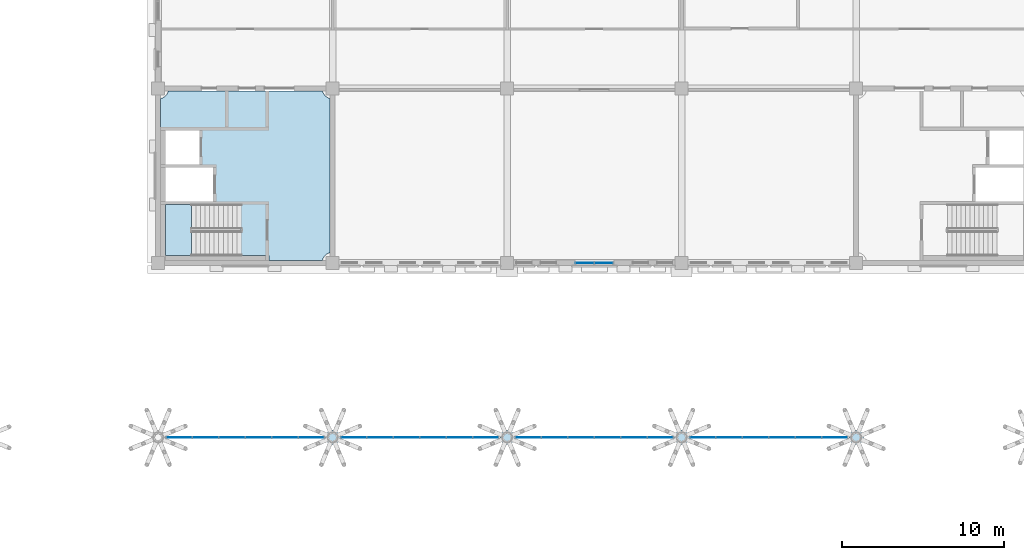
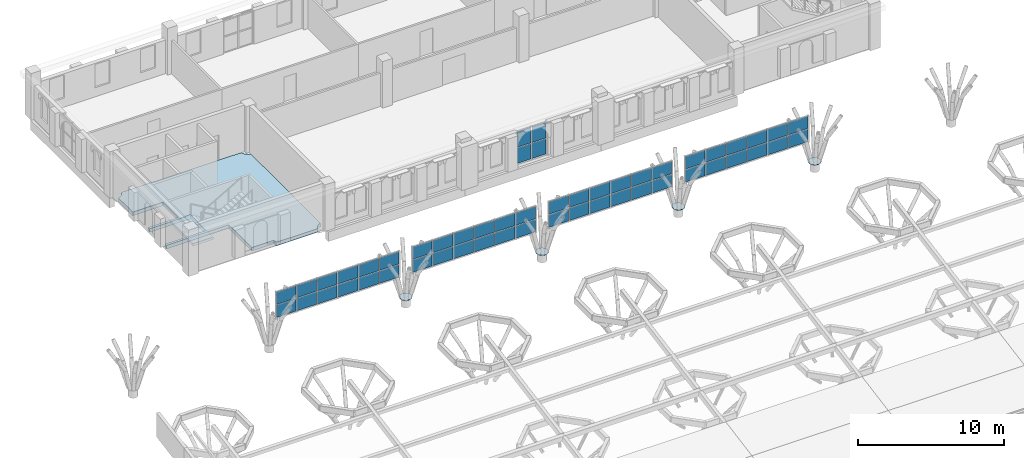
# One storey, part 18 of 42: 56 plates, 2 slabs, 6 elements without a shape of their own.
"""IFC4 building model written with IfcOpenShell, lengths in metres."""

from ifc_helpers import new_model, si_unit, direction, frame, origin, origin_2d, place, context, subcontext, project, spatial, polyline, rectangle, circle, outline, extrude, material, layer, layer_set, material_profile, profile_set, type_object, element, aggregate, save


model = new_model("IFC4")

# Units and contexts
model_context = context("Model", 3, precision=1e-05, world=origin(), true_north=direction((0.0, 1.0)))
body_context = subcontext(model_context, "Body", "Model", "MODEL_VIEW")
ifc_project = project(units=[si_unit("LENGTHUNIT", "METRE"), si_unit("AREAUNIT", "SQUARE_METRE"), si_unit("VOLUMEUNIT", "CUBIC_METRE"), si_unit("PLANEANGLEUNIT", "RADIAN"), si_unit("MASSUNIT", "GRAM", prefix="KILO")], contexts=[model_context])

# Site, building, storey
site_placement = place(None, origin())
site = spatial("IfcSite", under=ifc_project, at=site_placement, CompositionType="ELEMENT")
building_placement = place(site_placement, origin())
building = spatial("IfcBuilding", under=site, at=building_placement, Name="Magnolia Steps Interchange", CompositionType="ELEMENT")
storey_placement = place(building_placement, frame((0.0, 0.0, 12.60009765625)))
storey = spatial("IfcBuildingStorey", under=building, at=storey_placement, Name="L03", CompositionType="ELEMENT", Elevation=12.60009765625)

# Slab
ifc_material_1 = material(Name="Concrete C35", Category="concrete")
ifc_layer_1 = layer(ifc_material_1, 0.300048828125)
ifc_layer_set_1 = layer_set([ifc_layer_1], Name="Core floor slab 300")
slab_type_1 = type_object("IfcSlabType", Name="Core floor slab 300", PredefinedType="FLOOR", material=ifc_layer_set_1)
slab_1_placement = place(storey_placement, frame((0.0, 0.0, -0.300048828125)))
element("IfcSlab", 1, at=slab_1_placement, inside=storey, type_object=slab_type_1, Name="L03 core floor OC-W", PredefinedType="FLOOR", context=body_context, shape_type="SweptSolid", body=[
    extrude(outline(polyline([(70.85009765625, 96.85009765625), (69.10009765625, 96.85009765625), (69.10009765625, 100.0), (64.14990234375, 100.0), (64.14990234375, 100.199951171875), (67.39990234375, 100.199951171875), (67.39990234375, 102.300048828125), (64.14990234375, 102.300048828125), (64.14990234375, 102.5), (66.550048828125, 102.5), (66.550048828125, 104.60009765625), (64.14990234375, 104.60009765625), (64.14990234375, 106.568359375), (64.188720703125, 106.577880859375), (64.248779296875, 106.599609375), (64.306396484375, 106.626708984375), (64.361083984375, 106.659423828125), (64.412353515625, 106.697509765625), (64.459716796875, 106.740478515625), (64.50244140625, 106.78759765625), (64.54052734375, 106.8388671875), (64.5732421875, 106.8935546875), (64.6005859375, 106.951416015625), (64.6220703125, 107.01123046875), (64.631591796875, 107.050048828125), (74.168212890625, 107.050048828125), (74.177978515625, 107.01123046875), (74.199462890625, 106.951416015625), (74.226806640625, 106.8935546875), (74.259521484375, 106.8388671875), (74.297607421875, 106.78759765625), (74.34033203125, 106.740478515625), (74.3876953125, 106.697509765625), (74.43896484375, 106.659423828125), (74.49365234375, 106.626708984375), (74.55126953125, 106.599609375), (74.611328125, 106.577880859375), (74.64990234375, 106.568359375), (74.64990234375, 97.03173828125), (74.611328125, 97.02197265625), (74.55126953125, 97.00048828125), (74.49365234375, 96.97314453125), (74.43896484375, 96.9404296875), (74.3876953125, 96.902587890625), (74.34033203125, 96.859619140625), (74.297607421875, 96.8125), (74.259521484375, 96.760986328125), (74.226806640625, 96.706298828125), (74.199462890625, 96.648681640625), (74.177978515625, 96.588623046875), (74.168212890625, 96.550048828125), (70.85009765625, 96.550048828125), (70.85009765625, 96.85009765625)])), origin(), (0.0, 0.0, 1.0), 0.300048828125),
])

# Stair, slab
ifc_material_2 = material(Name="Concrete C40", Category="concrete")
stair_type = type_object("IfcStairType", Name="Exit stair 1500", PredefinedType="HALF_TURN_STAIR", material=ifc_material_2)
stair_placement = place(storey_placement, origin())
stair = element("IfcStair", 2, at=stair_placement, inside=storey, type_object=stair_type, Name="L03 Stair 28", PredefinedType="HALF_TURN_STAIR")
ifc_material_3 = material(Name="Concrete C40", Category="concrete")
ifc_layer_2 = layer(ifc_material_3, 0.199951171875)
ifc_layer_set_2 = layer_set([ifc_layer_2], Name="Exit stair landing 200")
slab_type_2 = type_object("IfcSlabType", Name="Exit stair landing 200", PredefinedType="LANDING", material=ifc_layer_set_2)
slab_2_placement = place(storey_placement, frame((0.0, 0.0, 1.75)))
slab_2 = element("IfcSlab", 3, at=slab_2_placement, type_object=slab_type_2, Name="Stair 28 landing 1", PredefinedType="LANDING", context=body_context, shape_type="SweptSolid", body=[
    extrude(outline(polyline([(66.070068359375, 100.0), (64.449951171875, 100.0), (64.449951171875, 96.85009765625), (66.070068359375, 96.85009765625), (66.070068359375, 100.0)])), origin(), (0.0, 0.0, 1.0), 0.199951171875),
])
aggregate(stair, [slab_2])

# Curtain wall, plates
ifc_material_4 = material(Name="Powder-coated aluminium and glass", Category="aluminium")
ifc_layer_3 = layer(ifc_material_4, 0.199951171875)
ifc_layer_set_3 = layer_set([ifc_layer_3], Name="Glazed central bay curtain wall")
curtain_wall_type_1 = type_object("IfcCurtainWallType", Name="Glazed central bay curtain wall", PredefinedType="NOTDEFINED", material=ifc_layer_set_3)
curtain_wall_1_placement = place(storey_placement, origin())
curtain_wall_1 = element("IfcCurtainWall", 4, at=curtain_wall_1_placement, inside=storey, type_object=curtain_wall_type_1, Name="Operations building south wall L03 glazing 2", PredefinedType="NOTDEFINED")
ifc_material_5 = material(Name="Laminated glass", Category="glass")
ifc_layer_4 = layer(ifc_material_5, 0.028076171875)
ifc_layer_set_4 = layer_set([ifc_layer_4], Name="Glass panel 28")
plate_type_1 = type_object("IfcPlateType", Name="Glass panel 28", PredefinedType="CURTAIN_PANEL", material=ifc_layer_set_4)
plate_1_placement = place(storey_placement, frame((90.4150390625, 96.39990234375, 0.06005859375), z_axis=(0.0, 0.0, 1.0), x_axis=(1.0, 0.0, 0.0)))
plate_1 = element("IfcPlate", 5, at=plate_1_placement, type_object=plate_type_1, Name="CW2 panel 1.1", PredefinedType="CURTAIN_PANEL", context=body_context, shape_type="SweptSolid", body=[
    extrude(rectangle(XDim=1.110107421875, YDim=0.028076171875, at=origin_2d()), origin(), (0.0, 0.0, 1.0), 1.284912109375),
])
plate_2_placement = place(storey_placement, frame((90.4150390625, 96.39990234375, 1.40478515625), z_axis=(0.0, 0.0, 1.0), x_axis=(1.0, 0.0, 0.0)))
plate_2 = element("IfcPlate", 6, at=plate_2_placement, type_object=plate_type_1, Name="CW2 panel 1.2", PredefinedType="CURTAIN_PANEL", context=body_context, shape_type="SweptSolid", body=[
    extrude(rectangle(XDim=1.110107421875, YDim=0.028076171875, at=origin_2d()), origin(), (0.0, 0.0, 1.0), 1.284912109375),
])
plate_3_placement = place(storey_placement, frame((91.5849609375, 96.39990234375, 0.06005859375), z_axis=(0.0, 0.0, 1.0), x_axis=(1.0, 0.0, 0.0)))
plate_3 = element("IfcPlate", 7, at=plate_3_placement, type_object=plate_type_1, Name="CW2 panel 2.1", PredefinedType="CURTAIN_PANEL", context=body_context, shape_type="SweptSolid", body=[
    extrude(rectangle(XDim=1.110107421875, YDim=0.028076171875, at=origin_2d()), origin(), (0.0, 0.0, 1.0), 1.284912109375),
])
plate_4_placement = place(storey_placement, frame((91.5849609375, 96.39990234375, 1.40478515625), z_axis=(0.0, 0.0, 1.0), x_axis=(1.0, 0.0, 0.0)))
plate_4 = element("IfcPlate", 8, at=plate_4_placement, type_object=plate_type_1, Name="CW2 panel 2.2", PredefinedType="CURTAIN_PANEL", context=body_context, shape_type="SweptSolid", body=[
    extrude(rectangle(XDim=1.110107421875, YDim=0.028076171875, at=origin_2d()), origin(), (0.0, 0.0, 1.0), 1.284912109375),
])
aggregate(curtain_wall_1, [plate_1, plate_2, plate_3, plate_4])

ifc_material_6 = material(Name="Powder-coated aluminium and glass", Category="aluminium")
ifc_layer_5 = layer(ifc_material_6, 0.1201171875)
ifc_layer_set_5 = layer_set([ifc_layer_5], Name="Hall clerestory curtain wall")
curtain_wall_type_2 = type_object("IfcCurtainWallType", Name="Hall clerestory curtain wall", PredefinedType="NOTDEFINED", material=ifc_layer_set_5)
curtain_wall_2_placement = place(storey_placement, origin())
curtain_wall_2 = element("IfcCurtainWall", 9, at=curtain_wall_2_placement, inside=storey, type_object=curtain_wall_type_2, Name="Hall clerestory N2", PredefinedType="NOTDEFINED")
plate_5_placement = place(storey_placement, frame((65.31494140625, 85.60009765625, 2.559814453125), z_axis=(0.0, 0.0, 1.0), x_axis=(1.0, 0.0, 0.0)))
plate_5 = element("IfcPlate", 10, at=plate_5_placement, type_object=plate_type_1, Name="CW6 panel 1.1", PredefinedType="CURTAIN_PANEL", context=body_context, shape_type="SweptSolid", body=[
    extrude(rectangle(XDim=1.550048828125, YDim=0.028076171875, at=origin_2d()), origin(), (0.0, 0.0, 1.0), 1.03564453125),
])
plate_6_placement = place(storey_placement, frame((65.31494140625, 85.60009765625, 3.655517578125), z_axis=(0.0, 0.0, 1.0), x_axis=(1.0, 0.0, 0.0)))
plate_6 = element("IfcPlate", 11, at=plate_6_placement, type_object=plate_type_1, Name="CW6 panel 1.2", PredefinedType="CURTAIN_PANEL", context=body_context, shape_type="SweptSolid", body=[
    extrude(rectangle(XDim=1.550048828125, YDim=0.028076171875, at=origin_2d()), origin(), (0.0, 0.0, 1.0), 1.03564453125),
])
plate_7_placement = place(storey_placement, frame((66.93994140625, 85.60009765625, 2.559814453125), z_axis=(0.0, 0.0, 1.0), x_axis=(1.0, 0.0, 0.0)))
plate_7 = element("IfcPlate", 12, at=plate_7_placement, type_object=plate_type_1, Name="CW6 panel 2.1", PredefinedType="CURTAIN_PANEL", context=body_context, shape_type="SweptSolid", body=[
    extrude(rectangle(XDim=1.580078125, YDim=0.028076171875, at=origin_2d()), origin(), (0.0, 0.0, 1.0), 1.03564453125),
])
plate_8_placement = place(storey_placement, frame((66.93994140625, 85.60009765625, 3.655517578125), z_axis=(0.0, 0.0, 1.0), x_axis=(1.0, 0.0, 0.0)))
plate_8 = element("IfcPlate", 13, at=plate_8_placement, type_object=plate_type_1, Name="CW6 panel 2.2", PredefinedType="CURTAIN_PANEL", context=body_context, shape_type="SweptSolid", body=[
    extrude(rectangle(XDim=1.580078125, YDim=0.028076171875, at=origin_2d()), origin(), (0.0, 0.0, 1.0), 1.03564453125),
])
plate_9_placement = place(storey_placement, frame((68.580078125, 85.60009765625, 2.559814453125), z_axis=(0.0, 0.0, 1.0), x_axis=(1.0, 0.0, 0.0)))
plate_9 = element("IfcPlate", 14, at=plate_9_placement, type_object=plate_type_1, Name="CW6 panel 3.1", PredefinedType="CURTAIN_PANEL", context=body_context, shape_type="SweptSolid", body=[
    extrude(rectangle(XDim=1.580078125, YDim=0.028076171875, at=origin_2d()), origin(), (0.0, 0.0, 1.0), 1.03564453125),
])
plate_10_placement = place(storey_placement, frame((68.580078125, 85.60009765625, 3.655517578125), z_axis=(0.0, 0.0, 1.0), x_axis=(1.0, 0.0, 0.0)))
plate_10 = element("IfcPlate", 15, at=plate_10_placement, type_object=plate_type_1, Name="CW6 panel 3.2", PredefinedType="CURTAIN_PANEL", context=body_context, shape_type="SweptSolid", body=[
    extrude(rectangle(XDim=1.580078125, YDim=0.028076171875, at=origin_2d()), origin(), (0.0, 0.0, 1.0), 1.03564453125),
])
plate_11_placement = place(storey_placement, frame((70.219970703125, 85.60009765625, 2.559814453125), z_axis=(0.0, 0.0, 1.0), x_axis=(1.0, 0.0, 0.0)))
plate_11 = element("IfcPlate", 16, at=plate_11_placement, type_object=plate_type_1, Name="CW6 panel 4.1", PredefinedType="CURTAIN_PANEL", context=body_context, shape_type="SweptSolid", body=[
    extrude(rectangle(XDim=1.580078125, YDim=0.028076171875, at=origin_2d()), origin(), (0.0, 0.0, 1.0), 1.03564453125),
])
plate_12_placement = place(storey_placement, frame((70.219970703125, 85.60009765625, 3.655517578125), z_axis=(0.0, 0.0, 1.0), x_axis=(1.0, 0.0, 0.0)))
plate_12 = element("IfcPlate", 17, at=plate_12_placement, type_object=plate_type_1, Name="CW6 panel 4.2", PredefinedType="CURTAIN_PANEL", context=body_context, shape_type="SweptSolid", body=[
    extrude(rectangle(XDim=1.580078125, YDim=0.028076171875, at=origin_2d()), origin(), (0.0, 0.0, 1.0), 1.03564453125),
])
plate_13_placement = place(storey_placement, frame((71.860107421875, 85.60009765625, 2.559814453125), z_axis=(0.0, 0.0, 1.0), x_axis=(1.0, 0.0, 0.0)))
plate_13 = element("IfcPlate", 18, at=plate_13_placement, type_object=plate_type_1, Name="CW6 panel 5.1", PredefinedType="CURTAIN_PANEL", context=body_context, shape_type="SweptSolid", body=[
    extrude(rectangle(XDim=1.580078125, YDim=0.028076171875, at=origin_2d()), origin(), (0.0, 0.0, 1.0), 1.03564453125),
])
plate_14_placement = place(storey_placement, frame((71.860107421875, 85.60009765625, 3.655517578125), z_axis=(0.0, 0.0, 1.0), x_axis=(1.0, 0.0, 0.0)))
plate_14 = element("IfcPlate", 19, at=plate_14_placement, type_object=plate_type_1, Name="CW6 panel 5.2", PredefinedType="CURTAIN_PANEL", context=body_context, shape_type="SweptSolid", body=[
    extrude(rectangle(XDim=1.580078125, YDim=0.028076171875, at=origin_2d()), origin(), (0.0, 0.0, 1.0), 1.03564453125),
])
plate_15_placement = place(storey_placement, frame((73.485107421875, 85.60009765625, 2.559814453125), z_axis=(0.0, 0.0, 1.0), x_axis=(1.0, 0.0, 0.0)))
plate_15 = element("IfcPlate", 20, at=plate_15_placement, type_object=plate_type_1, Name="CW6 panel 6.1", PredefinedType="CURTAIN_PANEL", context=body_context, shape_type="SweptSolid", body=[
    extrude(rectangle(XDim=1.550048828125, YDim=0.028076171875, at=origin_2d()), origin(), (0.0, 0.0, 1.0), 1.03564453125),
])
plate_16_placement = place(storey_placement, frame((73.485107421875, 85.60009765625, 3.655517578125), z_axis=(0.0, 0.0, 1.0), x_axis=(1.0, 0.0, 0.0)))
plate_16 = element("IfcPlate", 21, at=plate_16_placement, type_object=plate_type_1, Name="CW6 panel 6.2", PredefinedType="CURTAIN_PANEL", context=body_context, shape_type="SweptSolid", body=[
    extrude(rectangle(XDim=1.550048828125, YDim=0.028076171875, at=origin_2d()), origin(), (0.0, 0.0, 1.0), 1.03564453125),
])
aggregate(curtain_wall_2, [plate_5, plate_6, plate_7, plate_8, plate_9, plate_10, plate_11, plate_12, plate_13, plate_14, plate_15, plate_16])

curtain_wall_3_placement = place(storey_placement, origin())
curtain_wall_3 = element("IfcCurtainWall", 22, at=curtain_wall_3_placement, inside=storey, type_object=curtain_wall_type_2, Name="Hall clerestory N3", PredefinedType="NOTDEFINED")
plate_17_placement = place(storey_placement, frame((76.114990234375, 85.60009765625, 2.559814453125), z_axis=(0.0, 0.0, 1.0), x_axis=(1.0, 0.0, 0.0)))
plate_17 = element("IfcPlate", 23, at=plate_17_placement, type_object=plate_type_1, Name="CW6 panel 1.1", PredefinedType="CURTAIN_PANEL", context=body_context, shape_type="SweptSolid", body=[
    extrude(rectangle(XDim=1.550048828125, YDim=0.028076171875, at=origin_2d()), origin(), (0.0, 0.0, 1.0), 1.03564453125),
])
plate_18_placement = place(storey_placement, frame((76.114990234375, 85.60009765625, 3.655517578125), z_axis=(0.0, 0.0, 1.0), x_axis=(1.0, 0.0, 0.0)))
plate_18 = element("IfcPlate", 24, at=plate_18_placement, type_object=plate_type_1, Name="CW6 panel 1.2", PredefinedType="CURTAIN_PANEL", context=body_context, shape_type="SweptSolid", body=[
    extrude(rectangle(XDim=1.550048828125, YDim=0.028076171875, at=origin_2d()), origin(), (0.0, 0.0, 1.0), 1.03564453125),
])
plate_19_placement = place(storey_placement, frame((77.739990234375, 85.60009765625, 2.559814453125), z_axis=(0.0, 0.0, 1.0), x_axis=(1.0, 0.0, 0.0)))
plate_19 = element("IfcPlate", 25, at=plate_19_placement, type_object=plate_type_1, Name="CW6 panel 2.1", PredefinedType="CURTAIN_PANEL", context=body_context, shape_type="SweptSolid", body=[
    extrude(rectangle(XDim=1.580078125, YDim=0.028076171875, at=origin_2d()), origin(), (0.0, 0.0, 1.0), 1.03564453125),
])
plate_20_placement = place(storey_placement, frame((77.739990234375, 85.60009765625, 3.655517578125), z_axis=(0.0, 0.0, 1.0), x_axis=(1.0, 0.0, 0.0)))
plate_20 = element("IfcPlate", 26, at=plate_20_placement, type_object=plate_type_1, Name="CW6 panel 2.2", PredefinedType="CURTAIN_PANEL", context=body_context, shape_type="SweptSolid", body=[
    extrude(rectangle(XDim=1.580078125, YDim=0.028076171875, at=origin_2d()), origin(), (0.0, 0.0, 1.0), 1.03564453125),
])
plate_21_placement = place(storey_placement, frame((79.3798828125, 85.60009765625, 2.559814453125), z_axis=(0.0, 0.0, 1.0), x_axis=(1.0, 0.0, 0.0)))
plate_21 = element("IfcPlate", 27, at=plate_21_placement, type_object=plate_type_1, Name="CW6 panel 3.1", PredefinedType="CURTAIN_PANEL", context=body_context, shape_type="SweptSolid", body=[
    extrude(rectangle(XDim=1.580078125, YDim=0.028076171875, at=origin_2d()), origin(), (0.0, 0.0, 1.0), 1.03564453125),
])
plate_22_placement = place(storey_placement, frame((79.3798828125, 85.60009765625, 3.655517578125), z_axis=(0.0, 0.0, 1.0), x_axis=(1.0, 0.0, 0.0)))
plate_22 = element("IfcPlate", 28, at=plate_22_placement, type_object=plate_type_1, Name="CW6 panel 3.2", PredefinedType="CURTAIN_PANEL", context=body_context, shape_type="SweptSolid", body=[
    extrude(rectangle(XDim=1.580078125, YDim=0.028076171875, at=origin_2d()), origin(), (0.0, 0.0, 1.0), 1.03564453125),
])
plate_23_placement = place(storey_placement, frame((81.02001953125, 85.60009765625, 2.559814453125), z_axis=(0.0, 0.0, 1.0), x_axis=(1.0, 0.0, 0.0)))
plate_23 = element("IfcPlate", 29, at=plate_23_placement, type_object=plate_type_1, Name="CW6 panel 4.1", PredefinedType="CURTAIN_PANEL", context=body_context, shape_type="SweptSolid", body=[
    extrude(rectangle(XDim=1.580078125, YDim=0.028076171875, at=origin_2d()), origin(), (0.0, 0.0, 1.0), 1.03564453125),
])
plate_24_placement = place(storey_placement, frame((81.02001953125, 85.60009765625, 3.655517578125), z_axis=(0.0, 0.0, 1.0), x_axis=(1.0, 0.0, 0.0)))
plate_24 = element("IfcPlate", 30, at=plate_24_placement, type_object=plate_type_1, Name="CW6 panel 4.2", PredefinedType="CURTAIN_PANEL", context=body_context, shape_type="SweptSolid", body=[
    extrude(rectangle(XDim=1.580078125, YDim=0.028076171875, at=origin_2d()), origin(), (0.0, 0.0, 1.0), 1.03564453125),
])
plate_25_placement = place(storey_placement, frame((82.659912109375, 85.60009765625, 2.559814453125), z_axis=(0.0, 0.0, 1.0), x_axis=(1.0, 0.0, 0.0)))
plate_25 = element("IfcPlate", 31, at=plate_25_placement, type_object=plate_type_1, Name="CW6 panel 5.1", PredefinedType="CURTAIN_PANEL", context=body_context, shape_type="SweptSolid", body=[
    extrude(rectangle(XDim=1.580078125, YDim=0.028076171875, at=origin_2d()), origin(), (0.0, 0.0, 1.0), 1.03564453125),
])
plate_26_placement = place(storey_placement, frame((82.659912109375, 85.60009765625, 3.655517578125), z_axis=(0.0, 0.0, 1.0), x_axis=(1.0, 0.0, 0.0)))
plate_26 = element("IfcPlate", 32, at=plate_26_placement, type_object=plate_type_1, Name="CW6 panel 5.2", PredefinedType="CURTAIN_PANEL", context=body_context, shape_type="SweptSolid", body=[
    extrude(rectangle(XDim=1.580078125, YDim=0.028076171875, at=origin_2d()), origin(), (0.0, 0.0, 1.0), 1.03564453125),
])
plate_27_placement = place(storey_placement, frame((84.284912109375, 85.60009765625, 2.559814453125), z_axis=(0.0, 0.0, 1.0), x_axis=(1.0, 0.0, 0.0)))
plate_27 = element("IfcPlate", 33, at=plate_27_placement, type_object=plate_type_1, Name="CW6 panel 6.1", PredefinedType="CURTAIN_PANEL", context=body_context, shape_type="SweptSolid", body=[
    extrude(rectangle(XDim=1.550048828125, YDim=0.028076171875, at=origin_2d()), origin(), (0.0, 0.0, 1.0), 1.03564453125),
])
plate_28_placement = place(storey_placement, frame((84.284912109375, 85.60009765625, 3.655517578125), z_axis=(0.0, 0.0, 1.0), x_axis=(1.0, 0.0, 0.0)))
plate_28 = element("IfcPlate", 34, at=plate_28_placement, type_object=plate_type_1, Name="CW6 panel 6.2", PredefinedType="CURTAIN_PANEL", context=body_context, shape_type="SweptSolid", body=[
    extrude(rectangle(XDim=1.550048828125, YDim=0.028076171875, at=origin_2d()), origin(), (0.0, 0.0, 1.0), 1.03564453125),
])
aggregate(curtain_wall_3, [plate_17, plate_18, plate_19, plate_20, plate_21, plate_22, plate_23, plate_24, plate_25, plate_26, plate_27, plate_28])

curtain_wall_4_placement = place(storey_placement, origin())
curtain_wall_4 = element("IfcCurtainWall", 35, at=curtain_wall_4_placement, inside=storey, type_object=curtain_wall_type_2, Name="Hall clerestory N4", PredefinedType="NOTDEFINED")
plate_29_placement = place(storey_placement, frame((86.9150390625, 85.60009765625, 2.559814453125), z_axis=(0.0, 0.0, 1.0), x_axis=(1.0, 0.0, 0.0)))
plate_29 = element("IfcPlate", 36, at=plate_29_placement, type_object=plate_type_1, Name="CW6 panel 1.1", PredefinedType="CURTAIN_PANEL", context=body_context, shape_type="SweptSolid", body=[
    extrude(rectangle(XDim=1.550048828125, YDim=0.028076171875, at=origin_2d()), origin(), (0.0, 0.0, 1.0), 1.03564453125),
])
plate_30_placement = place(storey_placement, frame((86.9150390625, 85.60009765625, 3.655517578125), z_axis=(0.0, 0.0, 1.0), x_axis=(1.0, 0.0, 0.0)))
plate_30 = element("IfcPlate", 37, at=plate_30_placement, type_object=plate_type_1, Name="CW6 panel 1.2", PredefinedType="CURTAIN_PANEL", context=body_context, shape_type="SweptSolid", body=[
    extrude(rectangle(XDim=1.550048828125, YDim=0.028076171875, at=origin_2d()), origin(), (0.0, 0.0, 1.0), 1.03564453125),
])
plate_31_placement = place(storey_placement, frame((88.5400390625, 85.60009765625, 2.559814453125), z_axis=(0.0, 0.0, 1.0), x_axis=(1.0, 0.0, 0.0)))
plate_31 = element("IfcPlate", 38, at=plate_31_placement, type_object=plate_type_1, Name="CW6 panel 2.1", PredefinedType="CURTAIN_PANEL", context=body_context, shape_type="SweptSolid", body=[
    extrude(rectangle(XDim=1.580078125, YDim=0.028076171875, at=origin_2d()), origin(), (0.0, 0.0, 1.0), 1.03564453125),
])
plate_32_placement = place(storey_placement, frame((88.5400390625, 85.60009765625, 3.655517578125), z_axis=(0.0, 0.0, 1.0), x_axis=(1.0, 0.0, 0.0)))
plate_32 = element("IfcPlate", 39, at=plate_32_placement, type_object=plate_type_1, Name="CW6 panel 2.2", PredefinedType="CURTAIN_PANEL", context=body_context, shape_type="SweptSolid", body=[
    extrude(rectangle(XDim=1.580078125, YDim=0.028076171875, at=origin_2d()), origin(), (0.0, 0.0, 1.0), 1.03564453125),
])
plate_33_placement = place(storey_placement, frame((90.179931640625, 85.60009765625, 2.559814453125), z_axis=(0.0, 0.0, 1.0), x_axis=(1.0, 0.0, 0.0)))
plate_33 = element("IfcPlate", 40, at=plate_33_placement, type_object=plate_type_1, Name="CW6 panel 3.1", PredefinedType="CURTAIN_PANEL", context=body_context, shape_type="SweptSolid", body=[
    extrude(rectangle(XDim=1.580078125, YDim=0.028076171875, at=origin_2d()), origin(), (0.0, 0.0, 1.0), 1.03564453125),
])
plate_34_placement = place(storey_placement, frame((90.179931640625, 85.60009765625, 3.655517578125), z_axis=(0.0, 0.0, 1.0), x_axis=(1.0, 0.0, 0.0)))
plate_34 = element("IfcPlate", 41, at=plate_34_placement, type_object=plate_type_1, Name="CW6 panel 3.2", PredefinedType="CURTAIN_PANEL", context=body_context, shape_type="SweptSolid", body=[
    extrude(rectangle(XDim=1.580078125, YDim=0.028076171875, at=origin_2d()), origin(), (0.0, 0.0, 1.0), 1.03564453125),
])
plate_35_placement = place(storey_placement, frame((91.820068359375, 85.60009765625, 2.559814453125), z_axis=(0.0, 0.0, 1.0), x_axis=(1.0, 0.0, 0.0)))
plate_35 = element("IfcPlate", 42, at=plate_35_placement, type_object=plate_type_1, Name="CW6 panel 4.1", PredefinedType="CURTAIN_PANEL", context=body_context, shape_type="SweptSolid", body=[
    extrude(rectangle(XDim=1.580078125, YDim=0.028076171875, at=origin_2d()), origin(), (0.0, 0.0, 1.0), 1.03564453125),
])
plate_36_placement = place(storey_placement, frame((91.820068359375, 85.60009765625, 3.655517578125), z_axis=(0.0, 0.0, 1.0), x_axis=(1.0, 0.0, 0.0)))
plate_36 = element("IfcPlate", 43, at=plate_36_placement, type_object=plate_type_1, Name="CW6 panel 4.2", PredefinedType="CURTAIN_PANEL", context=body_context, shape_type="SweptSolid", body=[
    extrude(rectangle(XDim=1.580078125, YDim=0.028076171875, at=origin_2d()), origin(), (0.0, 0.0, 1.0), 1.03564453125),
])
plate_37_placement = place(storey_placement, frame((93.4599609375, 85.60009765625, 2.559814453125), z_axis=(0.0, 0.0, 1.0), x_axis=(1.0, 0.0, 0.0)))
plate_37 = element("IfcPlate", 44, at=plate_37_placement, type_object=plate_type_1, Name="CW6 panel 5.1", PredefinedType="CURTAIN_PANEL", context=body_context, shape_type="SweptSolid", body=[
    extrude(rectangle(XDim=1.580078125, YDim=0.028076171875, at=origin_2d()), origin(), (0.0, 0.0, 1.0), 1.03564453125),
])
plate_38_placement = place(storey_placement, frame((93.4599609375, 85.60009765625, 3.655517578125), z_axis=(0.0, 0.0, 1.0), x_axis=(1.0, 0.0, 0.0)))
plate_38 = element("IfcPlate", 45, at=plate_38_placement, type_object=plate_type_1, Name="CW6 panel 5.2", PredefinedType="CURTAIN_PANEL", context=body_context, shape_type="SweptSolid", body=[
    extrude(rectangle(XDim=1.580078125, YDim=0.028076171875, at=origin_2d()), origin(), (0.0, 0.0, 1.0), 1.03564453125),
])
plate_39_placement = place(storey_placement, frame((95.0849609375, 85.60009765625, 2.559814453125), z_axis=(0.0, 0.0, 1.0), x_axis=(1.0, 0.0, 0.0)))
plate_39 = element("IfcPlate", 46, at=plate_39_placement, type_object=plate_type_1, Name="CW6 panel 6.1", PredefinedType="CURTAIN_PANEL", context=body_context, shape_type="SweptSolid", body=[
    extrude(rectangle(XDim=1.550048828125, YDim=0.028076171875, at=origin_2d()), origin(), (0.0, 0.0, 1.0), 1.03564453125),
])
plate_40_placement = place(storey_placement, frame((95.0849609375, 85.60009765625, 3.655517578125), z_axis=(0.0, 0.0, 1.0), x_axis=(1.0, 0.0, 0.0)))
plate_40 = element("IfcPlate", 47, at=plate_40_placement, type_object=plate_type_1, Name="CW6 panel 6.2", PredefinedType="CURTAIN_PANEL", context=body_context, shape_type="SweptSolid", body=[
    extrude(rectangle(XDim=1.550048828125, YDim=0.028076171875, at=origin_2d()), origin(), (0.0, 0.0, 1.0), 1.03564453125),
])
aggregate(curtain_wall_4, [plate_29, plate_30, plate_31, plate_32, plate_33, plate_34, plate_35, plate_36, plate_37, plate_38, plate_39, plate_40])

curtain_wall_5_placement = place(storey_placement, origin())
curtain_wall_5 = element("IfcCurtainWall", 48, at=curtain_wall_5_placement, inside=storey, type_object=curtain_wall_type_2, Name="Hall clerestory N5", PredefinedType="NOTDEFINED")
plate_41_placement = place(storey_placement, frame((97.715087890625, 85.60009765625, 2.559814453125), z_axis=(0.0, 0.0, 1.0), x_axis=(1.0, 0.0, 0.0)))
plate_41 = element("IfcPlate", 49, at=plate_41_placement, type_object=plate_type_1, Name="CW6 panel 1.1", PredefinedType="CURTAIN_PANEL", context=body_context, shape_type="SweptSolid", body=[
    extrude(rectangle(XDim=1.550048828125, YDim=0.028076171875, at=origin_2d()), origin(), (0.0, 0.0, 1.0), 1.03564453125),
])
plate_42_placement = place(storey_placement, frame((97.715087890625, 85.60009765625, 3.655517578125), z_axis=(0.0, 0.0, 1.0), x_axis=(1.0, 0.0, 0.0)))
plate_42 = element("IfcPlate", 50, at=plate_42_placement, type_object=plate_type_1, Name="CW6 panel 1.2", PredefinedType="CURTAIN_PANEL", context=body_context, shape_type="SweptSolid", body=[
    extrude(rectangle(XDim=1.550048828125, YDim=0.028076171875, at=origin_2d()), origin(), (0.0, 0.0, 1.0), 1.03564453125),
])
plate_43_placement = place(storey_placement, frame((99.340087890625, 85.60009765625, 2.559814453125), z_axis=(0.0, 0.0, 1.0), x_axis=(1.0, 0.0, 0.0)))
plate_43 = element("IfcPlate", 51, at=plate_43_placement, type_object=plate_type_1, Name="CW6 panel 2.1", PredefinedType="CURTAIN_PANEL", context=body_context, shape_type="SweptSolid", body=[
    extrude(rectangle(XDim=1.580078125, YDim=0.028076171875, at=origin_2d()), origin(), (0.0, 0.0, 1.0), 1.03564453125),
])
plate_44_placement = place(storey_placement, frame((99.340087890625, 85.60009765625, 3.655517578125), z_axis=(0.0, 0.0, 1.0), x_axis=(1.0, 0.0, 0.0)))
plate_44 = element("IfcPlate", 52, at=plate_44_placement, type_object=plate_type_1, Name="CW6 panel 2.2", PredefinedType="CURTAIN_PANEL", context=body_context, shape_type="SweptSolid", body=[
    extrude(rectangle(XDim=1.580078125, YDim=0.028076171875, at=origin_2d()), origin(), (0.0, 0.0, 1.0), 1.03564453125),
])
plate_45_placement = place(storey_placement, frame((100.97998046875, 85.60009765625, 2.559814453125), z_axis=(0.0, 0.0, 1.0), x_axis=(1.0, 0.0, 0.0)))
plate_45 = element("IfcPlate", 53, at=plate_45_placement, type_object=plate_type_1, Name="CW6 panel 3.1", PredefinedType="CURTAIN_PANEL", context=body_context, shape_type="SweptSolid", body=[
    extrude(rectangle(XDim=1.580078125, YDim=0.028076171875, at=origin_2d()), origin(), (0.0, 0.0, 1.0), 1.03564453125),
])
plate_46_placement = place(storey_placement, frame((100.97998046875, 85.60009765625, 3.655517578125), z_axis=(0.0, 0.0, 1.0), x_axis=(1.0, 0.0, 0.0)))
plate_46 = element("IfcPlate", 54, at=plate_46_placement, type_object=plate_type_1, Name="CW6 panel 3.2", PredefinedType="CURTAIN_PANEL", context=body_context, shape_type="SweptSolid", body=[
    extrude(rectangle(XDim=1.580078125, YDim=0.028076171875, at=origin_2d()), origin(), (0.0, 0.0, 1.0), 1.03564453125),
])
plate_47_placement = place(storey_placement, frame((102.6201171875, 85.60009765625, 2.559814453125), z_axis=(0.0, 0.0, 1.0), x_axis=(1.0, 0.0, 0.0)))
plate_47 = element("IfcPlate", 55, at=plate_47_placement, type_object=plate_type_1, Name="CW6 panel 4.1", PredefinedType="CURTAIN_PANEL", context=body_context, shape_type="SweptSolid", body=[
    extrude(rectangle(XDim=1.580078125, YDim=0.028076171875, at=origin_2d()), origin(), (0.0, 0.0, 1.0), 1.03564453125),
])
plate_48_placement = place(storey_placement, frame((102.6201171875, 85.60009765625, 3.655517578125), z_axis=(0.0, 0.0, 1.0), x_axis=(1.0, 0.0, 0.0)))
plate_48 = element("IfcPlate", 56, at=plate_48_placement, type_object=plate_type_1, Name="CW6 panel 4.2", PredefinedType="CURTAIN_PANEL", context=body_context, shape_type="SweptSolid", body=[
    extrude(rectangle(XDim=1.580078125, YDim=0.028076171875, at=origin_2d()), origin(), (0.0, 0.0, 1.0), 1.03564453125),
])
plate_49_placement = place(storey_placement, frame((104.260009765625, 85.60009765625, 2.559814453125), z_axis=(0.0, 0.0, 1.0), x_axis=(1.0, 0.0, 0.0)))
plate_49 = element("IfcPlate", 57, at=plate_49_placement, type_object=plate_type_1, Name="CW6 panel 5.1", PredefinedType="CURTAIN_PANEL", context=body_context, shape_type="SweptSolid", body=[
    extrude(rectangle(XDim=1.580078125, YDim=0.028076171875, at=origin_2d()), origin(), (0.0, 0.0, 1.0), 1.03564453125),
])
plate_50_placement = place(storey_placement, frame((104.260009765625, 85.60009765625, 3.655517578125), z_axis=(0.0, 0.0, 1.0), x_axis=(1.0, 0.0, 0.0)))
plate_50 = element("IfcPlate", 58, at=plate_50_placement, type_object=plate_type_1, Name="CW6 panel 5.2", PredefinedType="CURTAIN_PANEL", context=body_context, shape_type="SweptSolid", body=[
    extrude(rectangle(XDim=1.580078125, YDim=0.028076171875, at=origin_2d()), origin(), (0.0, 0.0, 1.0), 1.03564453125),
])
plate_51_placement = place(storey_placement, frame((105.885009765625, 85.60009765625, 2.559814453125), z_axis=(0.0, 0.0, 1.0), x_axis=(1.0, 0.0, 0.0)))
plate_51 = element("IfcPlate", 59, at=plate_51_placement, type_object=plate_type_1, Name="CW6 panel 6.1", PredefinedType="CURTAIN_PANEL", context=body_context, shape_type="SweptSolid", body=[
    extrude(rectangle(XDim=1.550048828125, YDim=0.028076171875, at=origin_2d()), origin(), (0.0, 0.0, 1.0), 1.03564453125),
])
plate_52_placement = place(storey_placement, frame((105.885009765625, 85.60009765625, 3.655517578125), z_axis=(0.0, 0.0, 1.0), x_axis=(1.0, 0.0, 0.0)))
plate_52 = element("IfcPlate", 60, at=plate_52_placement, type_object=plate_type_1, Name="CW6 panel 6.2", PredefinedType="CURTAIN_PANEL", context=body_context, shape_type="SweptSolid", body=[
    extrude(rectangle(XDim=1.550048828125, YDim=0.028076171875, at=origin_2d()), origin(), (0.0, 0.0, 1.0), 1.03564453125),
])
aggregate(curtain_wall_5, [plate_41, plate_42, plate_43, plate_44, plate_45, plate_46, plate_47, plate_48, plate_49, plate_50, plate_51, plate_52])

# Plates
ifc_material_7 = material(Name="Steel Q355B", Category="steel")
ifc_material_profile = material_profile(ifc_material_7, circle(Radius=0.449951171875, at=origin_2d()), Name="Tree head plate 900 x 30")
ifc_profile_set = profile_set([ifc_material_profile], Name="Steel Q355B")
plate_type_2 = type_object("IfcPlateType", Name="Tree head plate 900 x 30", PredefinedType="SHEET", material=ifc_profile_set)
for number, where, z_axis, x_axis, name in (
    (61, (74.800048828125, 85.60009765625, 0.691162109375), (0.0, 0.0, 1.0), (1.0, 0.0, 0.0), "Tree head plate TH03E"),
    (62, (85.60009765625, 85.60009765625, 0.691162109375), (0.0, 0.0, 1.0), (1.0, 0.0, 0.0), "Tree head plate TH04E"),
    (63, (96.39990234375, 85.60009765625, 0.691162109375), (0.0, 0.0, 1.0), (1.0, 0.0, 0.0), "Tree head plate TH05E"),
    (64, (107.199951171875, 85.60009765625, 0.691162109375), (0.0, 0.0, 1.0), (1.0, 0.0, 0.0), "Tree head plate TH06E"),
):
    element("IfcPlate", number, at=place(storey_placement, frame(where, z_axis=z_axis, x_axis=x_axis)), inside=storey, type_object=plate_type_2, Name=name, PredefinedType="SHEET", context=body_context, shape_type="SweptSolid", body=[
        extrude(circle(Radius=0.449951171875, at=origin_2d()), origin(), (0.0, 0.0, 1.0), 0.030029296875),
    ])

save(model, "model.ifc")
